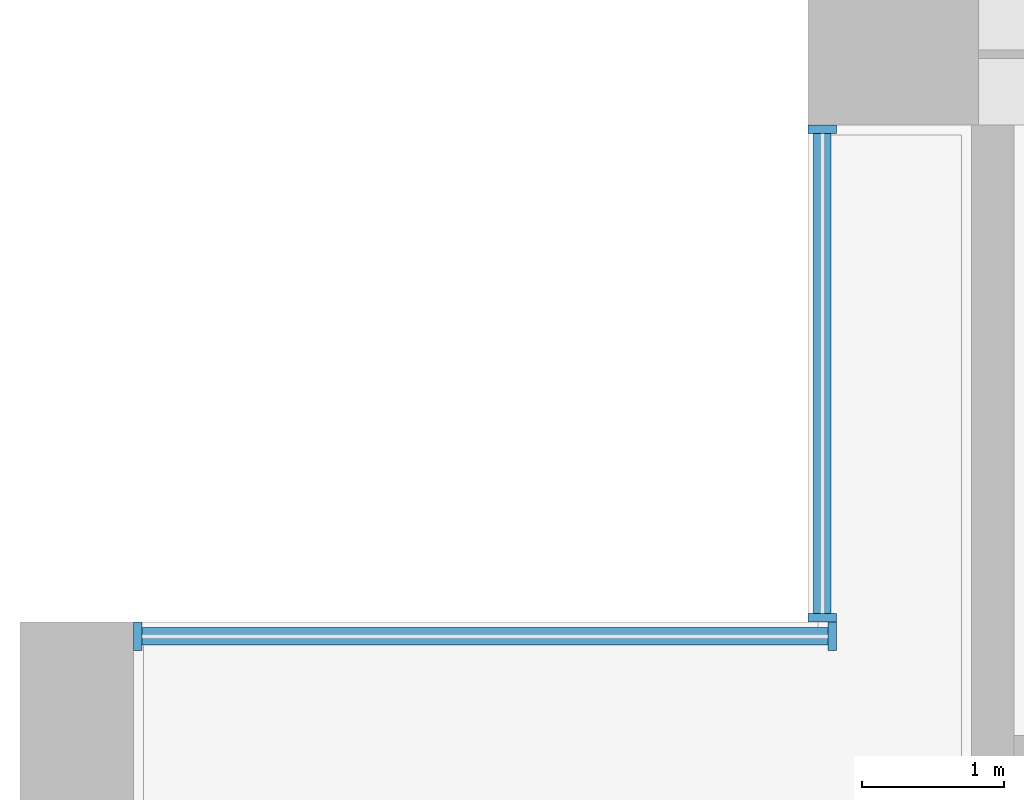
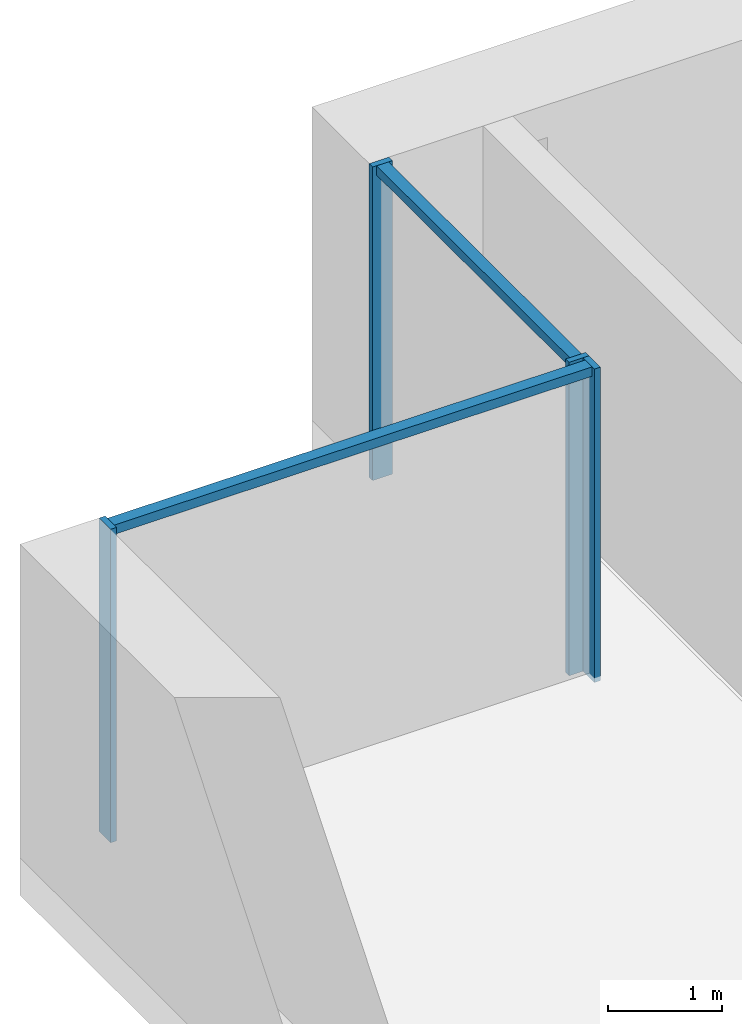
# One storey, part 4 of 18: 6 members, 2 elements without a shape of their own.
"""IFC4 building model written with IfcOpenShell, lengths in metres."""

from ifc_helpers import new_model, si_unit, direction, frame, origin, origin_2d, place, context, subcontext, project, spatial, rectangle, extrude, material, material_profile, profile_set, type_object, element, aggregate, save


model = new_model("IFC4")

# Units and contexts
model_context = context("Model", 3, precision=1e-05, world=origin(), true_north=direction((0.0, 1.0)))
body_context = subcontext(model_context, "Body", "Model", "MODEL_VIEW")
ifc_project = project(units=[si_unit("LENGTHUNIT", "METRE"), si_unit("AREAUNIT", "SQUARE_METRE"), si_unit("VOLUMEUNIT", "CUBIC_METRE"), si_unit("PLANEANGLEUNIT", "RADIAN"), si_unit("MASSUNIT", "GRAM", prefix="KILO")], contexts=[model_context])

# Site, building, storey
site_placement = place(None, origin())
site = spatial("IfcSite", under=ifc_project, at=site_placement, CompositionType="ELEMENT")
building_placement = place(site_placement, origin())
building = spatial("IfcBuilding", under=site, at=building_placement, Name="Calvaro Tower", CompositionType="ELEMENT")
storey_placement = place(building_placement, frame((0.0, 0.0, 45.0)))
storey = spatial("IfcBuildingStorey", under=building, at=storey_placement, Name="L10", CompositionType="ELEMENT", Elevation=45.0)

# Curtain wall, members
ifc_material_1 = material(Name="Anodised aluminium", Category="aluminium")
curtain_wall_type = type_object("IfcCurtainWallType", Name="Office curtain wall, lower zone", PredefinedType="NOTDEFINED", material=ifc_material_1)
curtain_wall_1_placement = place(storey_placement, origin())
curtain_wall_1 = element("IfcCurtainWall", 1, at=curtain_wall_1_placement, inside=storey, type_object=curtain_wall_type, Name="CW1 corner curtain wall", PredefinedType="NOTDEFINED")
ifc_material_2 = material(Name="Anodised aluminium", Category="aluminium")
ifc_material_profile_1 = material_profile(ifc_material_2, rectangle(XDim=0.199951171875, YDim=0.06005859375, at=origin_2d()), Name="Mullion S1 60 x 200")
ifc_profile_set_1 = profile_set([ifc_material_profile_1], Name="Anodised aluminium")
member_type_1 = type_object("IfcMemberType", Name="Mullion S1 60 x 200", PredefinedType="MULLION", material=ifc_profile_set_1)
member_1_placement = place(storey_placement, frame((5.64990234375, 41.530029296875, 0.0), z_axis=(0.0, 0.0, 1.0), x_axis=(-1.0, 0.0, 0.0)))
member_1 = element("IfcMember", 2, at=member_1_placement, type_object=member_type_1, Name="CW1 mullion 1", PredefinedType="MULLION", context=body_context, shape_type="SweptSolid", body=[
    extrude(rectangle(XDim=0.199951171875, YDim=0.06005859375, at=origin_2d()), origin(), (0.0, 0.0, 1.0), 3.35009765625),
])
member_2_placement = place(storey_placement, frame((5.64990234375, 44.969970703125, 0.0), z_axis=(0.0, 0.0, 1.0), x_axis=(-1.0, 0.0, 0.0)))
member_2 = element("IfcMember", 3, at=member_2_placement, type_object=member_type_1, Name="CW1 mullion 2", PredefinedType="MULLION", context=body_context, shape_type="SweptSolid", body=[
    extrude(rectangle(XDim=0.199951171875, YDim=0.06005859375, at=origin_2d()), origin(), (0.0, 0.0, 1.0), 3.35009765625),
])

curtain_wall_2_placement = place(storey_placement, origin())
curtain_wall_2 = element("IfcCurtainWall", 4, at=curtain_wall_2_placement, inside=storey, type_object=curtain_wall_type, Name="CW1 corner curtain wall", PredefinedType="NOTDEFINED")
member_3_placement = place(storey_placement, frame((0.830078125, 41.39990234375, 0.0), z_axis=(0.0, 0.0, 1.0), x_axis=(0.0, 1.0, 0.0)))
member_3 = element("IfcMember", 5, at=member_3_placement, type_object=member_type_1, Name="CW1 mullion 1", PredefinedType="MULLION", context=body_context, shape_type="SweptSolid", body=[
    extrude(rectangle(XDim=0.199951171875, YDim=0.06005859375, at=origin_2d()), origin(), (0.0, 0.0, 1.0), 3.35009765625),
])
member_4_placement = place(storey_placement, frame((5.719970703125, 41.39990234375, 0.0), z_axis=(0.0, 0.0, 1.0), x_axis=(0.0, 1.0, 0.0)))
member_4 = element("IfcMember", 6, at=member_4_placement, type_object=member_type_1, Name="CW1 mullion 2", PredefinedType="MULLION", context=body_context, shape_type="SweptSolid", body=[
    extrude(rectangle(XDim=0.199951171875, YDim=0.06005859375, at=origin_2d()), origin(), (0.0, 0.0, 1.0), 3.35009765625),
])

# Member
ifc_material_3 = material(Name="Anodised aluminium", Category="aluminium")
ifc_material_profile_2 = material_profile(ifc_material_3, rectangle(XDim=0.1201171875, YDim=0.10009765625, at=origin_2d()), Name="Transom S1 100 x 120")
ifc_profile_set_2 = profile_set([ifc_material_profile_2], Name="Anodised aluminium")
member_type_2 = type_object("IfcMemberType", Name="Transom S1 100 x 120", PredefinedType="USERDEFINED", material=ifc_profile_set_2)
member_5_placement = place(storey_placement, frame((5.64990234375, 41.56005859375, 3.300048828125), z_axis=(0.0, 1.0, 0.0), x_axis=(-1.0, 0.0, 0.0)))
member_5 = element("IfcMember", 7, at=member_5_placement, type_object=member_type_2, Name="CW1 transom 1.1", ObjectType="TRANSOM", PredefinedType="USERDEFINED", context=body_context, shape_type="SweptSolid", body=[
    extrude(rectangle(XDim=0.1201171875, YDim=0.10009765625, at=origin_2d()), origin(), (0.0, 0.0, 1.0), 3.3798828125),
])

aggregate(curtain_wall_1, [member_1, member_2, member_5])

member_6_placement = place(storey_placement, frame((0.860107421875, 41.39990234375, 3.300048828125), z_axis=(1.0, 0.0, 0.0), x_axis=(0.0, 1.0, 0.0)))
member_6 = element("IfcMember", 8, at=member_6_placement, type_object=member_type_2, Name="CW1 transom 1.1", ObjectType="TRANSOM", PredefinedType="USERDEFINED", context=body_context, shape_type="SweptSolid", body=[
    extrude(rectangle(XDim=0.1201171875, YDim=0.10009765625, at=origin_2d()), origin(), (0.0, 0.0, 1.0), 4.829833984375),
])

aggregate(curtain_wall_2, [member_3, member_4, member_6])

save(model, "model.ifc")
